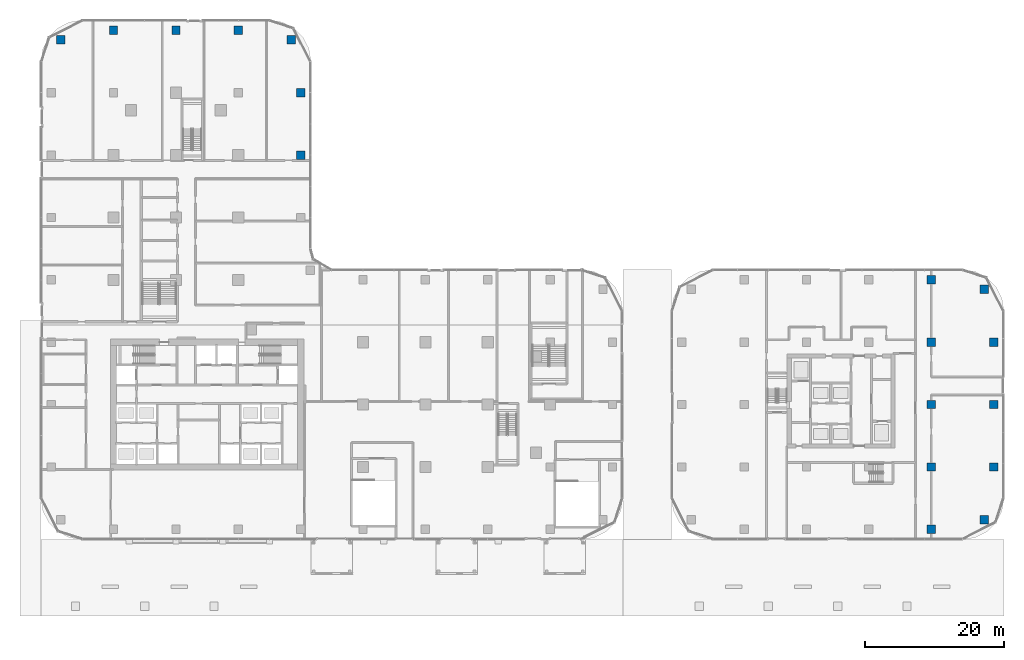
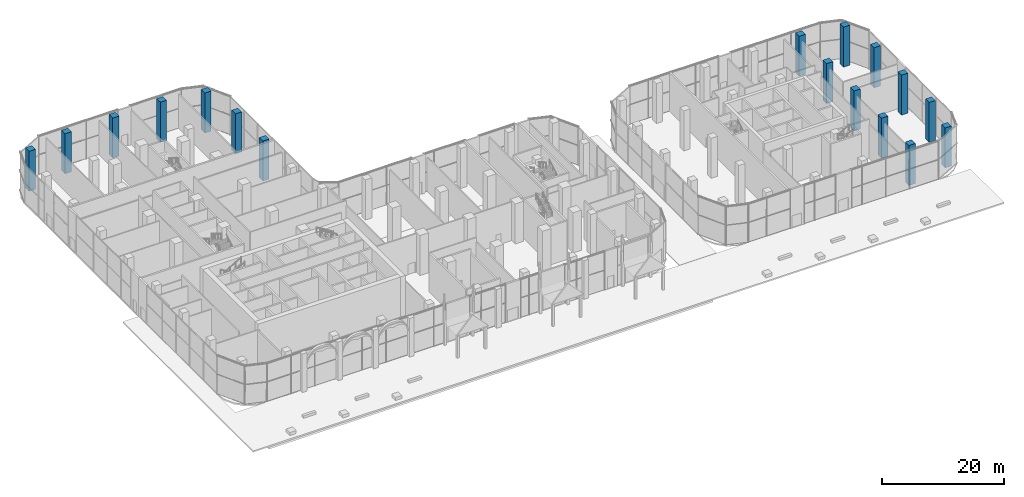
# One storey, part 2 of 54: 17 columns.
"""IFC4 building model written with IfcOpenShell, lengths in metres."""

import ifcopenshell
import ifcopenshell.guid

model = None  # the IFC model being written
_history = None  # IfcOwnerHistory: only IFC2X3 demands one
_inside = {}  # id of a spatial element -> (the spatial element, [elements in it])
_under = {}  # id of a project, library or spatial element -> (it, [spatial elements below it])
_declared = {}  # id of a project -> (the project, [libraries it declares])
_typed = {}  # id of a type object -> (the type object, [elements of that type])
_made_of = {}  # id of a material, layer set ... -> (it, [elements and type objects made of it])


def new_model(schema):
    """Start an empty IFC model of exactly this schema.

    Asked for "IFC4X3", IfcOpenShell would pick the latest addendum, in which some entities
    have other attributes; the version numbers below select the first issue.
    IFC2X3 requires an IfcOwnerHistory on every rooted entity: one is made here for all.
    """
    global model, _history
    if schema == "IFC4X3":
        model = ifcopenshell.file(schema_version=(4, 3, 0, 0))
    else:
        model = ifcopenshell.file(schema=schema)
    _inside.clear()
    _under.clear()
    _declared.clear()
    _typed.clear()
    _made_of.clear()
    _history = None
    if model.schema == "IFC2X3":
        org = make("IfcOrganization", Name="unknown")
        user = make(
            "IfcPersonAndOrganization",
            ThePerson=make("IfcPerson", FamilyName="unknown"),
            TheOrganization=org,
        )
        app = make(
            "IfcApplication",
            ApplicationDeveloper=org,
            Version="unknown",
            ApplicationFullName="unknown",
            ApplicationIdentifier="unknown",
        )
        _history = make(
            "IfcOwnerHistory",
            OwningUser=user,
            OwningApplication=app,
            ChangeAction="ADDED",
            CreationDate=0,
        )
    return model


def make(cls, **values):
    """One entity of the class cls with the attributes given. An attribute that is None is left unset."""
    return model.create_entity(
        cls, **{name: value for name, value in values.items() if value is not None}
    )


def rooted(cls, **values):
    """An entity with a GlobalId (a new one), such as an element, a storey or a relation."""
    return make(cls, GlobalId=ifcopenshell.guid.new(), OwnerHistory=_history, **values)


def si_unit(unit_type, name, prefix=None):
    """IfcSIUnit, for example si_unit("LENGTHUNIT", "METRE", prefix="MILLI")."""
    return make("IfcSIUnit", UnitType=unit_type, Prefix=prefix, Name=name)


def assignment(units):
    """IfcUnitAssignment: the units of a project."""
    return None if units is None else make("IfcUnitAssignment", Units=units)


def point(xyz):
    """IfcCartesianPoint."""
    return None if xyz is None else make("IfcCartesianPoint", Coordinates=xyz)


def direction(xyz):
    """IfcDirection."""
    return None if xyz is None else make("IfcDirection", DirectionRatios=xyz)


def frame(location, z_axis=None, x_axis=None):
    """IfcAxis2Placement3D, a coordinate frame: its origin and axes. An axis left out is left unset."""
    return make(
        "IfcAxis2Placement3D",
        Location=point(location),
        Axis=direction(z_axis),
        RefDirection=direction(x_axis),
    )


def frame_2d(location, x_axis=None):
    """IfcAxis2Placement2D, a coordinate frame in the plane: its origin and x axis."""
    return make(
        "IfcAxis2Placement2D", Location=point(location), RefDirection=direction(x_axis)
    )


def origin():
    """The frame at (0, 0, 0) with its axes left unset."""
    return frame((0.0, 0.0, 0.0))


def origin_2d():
    """The frame at (0, 0) in the plane with its x axis left unset."""
    return frame_2d((0.0, 0.0))


def place(relative_to, where):
    """IfcLocalPlacement: puts the frame where relative to a parent placement (None: the world)."""
    return make(
        "IfcLocalPlacement", PlacementRelTo=relative_to, RelativePlacement=where
    )


def context(
    kind, dimensions, precision=None, world=None, true_north=None, identifier=None
):
    """IfcGeometricRepresentationContext, for example the 3D "Model" context."""
    return make(
        "IfcGeometricRepresentationContext",
        ContextIdentifier=identifier,
        ContextType=kind,
        CoordinateSpaceDimension=dimensions,
        Precision=precision,
        WorldCoordinateSystem=world,
        TrueNorth=true_north,
    )


def subcontext(parent, identifier, kind, view, scale=None):
    """IfcGeometricRepresentationSubContext, for example "Body" below "Model"."""
    return make(
        "IfcGeometricRepresentationSubContext",
        ContextIdentifier=identifier,
        ContextType=kind,
        ParentContext=parent,
        TargetScale=scale,
        TargetView=view,
    )


def project(units=None, contexts=None):
    """IfcProject with its units and contexts."""
    return rooted(
        "IfcProject",
        Name="project",
        RepresentationContexts=contexts,
        UnitsInContext=assignment(units),
    )


def spatial(cls, under=None, at=None, **own):
    """A site, building, storey or space (cls), placed at a placement, below another one or the project."""
    s = rooted(cls, ObjectPlacement=at, **own)
    if under is not None:
        _under.setdefault(under.id(), (under, []))[1].append(s)
    return s


def profile(cls, at=None, kind="AREA", **sizes):
    """A parametric profile (cls). Its sizes go by their IFC names, for example OverallWidth=200.0."""
    return make(cls, ProfileType=kind, Position=at, **sizes)


def rectangle(**sizes):
    """IfcRectangleProfileDef."""
    return profile("IfcRectangleProfileDef", **sizes)


def extrude(swept, where, along, depth):
    """IfcExtrudedAreaSolid: the profile swept, set in the frame where, extruded along a direction by depth."""
    return make(
        "IfcExtrudedAreaSolid",
        SweptArea=swept,
        Position=where,
        ExtrudedDirection=direction(along),
        Depth=depth,
    )


def shape(context_of_items, identifier, shape_type, items):
    """IfcShapeRepresentation: the items that make up one representation, for example the "Body"."""
    return make(
        "IfcShapeRepresentation",
        ContextOfItems=context_of_items,
        RepresentationIdentifier=identifier,
        RepresentationType=shape_type,
        Items=items,
    )


def material(Name=None, Category=None):
    """IfcMaterial."""
    return make("IfcMaterial", Name=Name, Category=Category)


def material_profile(
    of_material, cross_section, Name=None, Category=None, Priority=None
):
    """IfcMaterialProfile: a cross section and its material."""
    return make(
        "IfcMaterialProfile",
        Name=Name,
        Material=of_material,
        Profile=cross_section,
        Priority=Priority,
        Category=Category,
    )


def profile_set(profiles, Name=None, composite=None):
    """IfcMaterialProfileSet."""
    return make(
        "IfcMaterialProfileSet",
        Name=Name,
        MaterialProfiles=profiles,
        CompositeProfile=composite,
    )


def made_of(thing, what):
    """Note that an element or type object is made of a material, layer set ...; save() writes the relation."""
    if what is not None:
        _made_of.setdefault(what.id(), (what, []))[1].append(thing)
    return thing


def type_object(cls, material=None, **own):
    """A type object (cls), such as IfcWallType, which elements share."""
    return made_of(rooted(cls, **own), material)


def element(
    cls,
    number,
    at=None,
    inside=None,
    cuts=None,
    type_object=None,
    material=None,
    context=None,
    identifier="Body",
    shape_type=None,
    held_by="IfcProductDefinitionShape",
    body=None,
    shapes=None,
    **own,
):
    """One element of the class cls, such as IfcWall. Its Tag is "e" and its number.

    at: its placement. inside: the storey or other place that contains it. cuts: it is an
    opening in that element (IfcRelVoidsElement). A single representation is given by context,
    identifier, shape_type and body (its items); several are given by shapes. held_by: the class
    of the entity that holds the representations. save() writes the other relations.
    """
    e = rooted(cls, Tag="e%d" % number, ObjectPlacement=at, **own)
    if body is not None:
        shapes = [shape(context, identifier, shape_type, body)]
    if shapes is not None:
        e.Representation = make(held_by, Representations=shapes)
    if inside is not None:
        _inside.setdefault(inside.id(), (inside, []))[1].append(e)
    if cuts is not None:
        rooted(
            "IfcRelVoidsElement", RelatingBuildingElement=cuts, RelatedOpeningElement=e
        )
    if type_object is not None:
        _typed.setdefault(type_object.id(), (type_object, []))[1].append(e)
    return made_of(e, material)


def aggregate(whole, parts):
    """IfcRelAggregates: a whole, such as a stair, and the parts it consists of."""
    return rooted("IfcRelAggregates", RelatingObject=whole, RelatedObjects=parts)


def save(model, path):
    """Write the relations noted so far, then the file.

    IfcRelAggregates (storeys below a building ...), IfcRelContainedInSpatialStructure (elements
    in a storey), IfcRelDefinesByType, IfcRelAssociatesMaterial and IfcRelDeclares: one each for
    every whole, place, type object, material and project.
    """
    for whole, parts in _under.values():
        aggregate(whole, parts)
    for where, things in _inside.values():
        rooted(
            "IfcRelContainedInSpatialStructure",
            RelatedElements=things,
            RelatingStructure=where,
        )
    for kind, things in _typed.values():
        rooted("IfcRelDefinesByType", RelatedObjects=things, RelatingType=kind)
    for what, things in _made_of.values():
        rooted("IfcRelAssociatesMaterial", RelatedObjects=things, RelatingMaterial=what)
    for by, libraries in _declared.values():
        rooted("IfcRelDeclares", RelatingContext=by, RelatedDefinitions=libraries)
    model.write(path)


model = new_model("IFC4")

# Units and contexts
model_context = context("Model", 3, precision=1e-05, world=origin(), true_north=direction((0.0, 1.0)))
body_context = subcontext(model_context, "Body", "Model", "MODEL_VIEW")
ifc_project = project(units=[si_unit("LENGTHUNIT", "METRE"), si_unit("AREAUNIT", "SQUARE_METRE"), si_unit("VOLUMEUNIT", "CUBIC_METRE"), si_unit("PLANEANGLEUNIT", "RADIAN"), si_unit("MASSUNIT", "GRAM", prefix="KILO")], contexts=[model_context])

# Site, building, storey
site_placement = place(None, origin())
site = spatial("IfcSite", under=ifc_project, at=site_placement, CompositionType="ELEMENT")
building_placement = place(site_placement, origin())
building = spatial("IfcBuilding", under=site, at=building_placement, Name="Ogive Portal Towers", CompositionType="ELEMENT")
storey_placement = place(building_placement, origin())
storey = spatial("IfcBuildingStorey", under=building, at=storey_placement, Name="L00", CompositionType="ELEMENT", Elevation=0.0)

# Columns
ifc_material = material(Name="Concrete C50/60", Category="concrete")
ifc_material_profile = material_profile(ifc_material, rectangle(XDim=1.199951171875, YDim=1.199951171875, at=origin_2d()), Name="RC 1200x1200")
ifc_profile_set = profile_set([ifc_material_profile], Name="Concrete C50/60")
column_type = type_object("IfcColumnType", Name="COLUMN RC 1200x1200", PredefinedType="COLUMN", material=ifc_profile_set)
for number, where, z_axis, x_axis, name in (
    (1, (58.5, 66.5, 0.0), (0.0, 0.0, 1.0), (1.0, 0.0, 0.0), "Column 4/F L00"),
    (2, (58.5, 75.5, 0.0), (0.0, 0.0, 1.0), (1.0, 0.0, 0.0), "Column 4/G L00"),
    (3, (23.8701171875, 83.1298828125, 0.0), (0.0, 0.0, 1.0), (1.0, 0.0, 0.0), "Column L00"),
    (4, (57.1298828125, 83.1298828125, 0.0), (0.0, 0.0, 1.0), (1.0, 0.0, 0.0), "Column L00"),
    (5, (31.5, 84.5, 0.0), (0.0, 0.0, 1.0), (1.0, 0.0, 0.0), "Column 1/H1 L00"),
    (6, (40.5, 84.5, 0.0), (0.0, 0.0, 1.0), (1.0, 0.0, 0.0), "Column 2/H1 L00"),
    (7, (49.5, 84.5, 0.0), (0.0, 0.0, 1.0), (1.0, 0.0, 0.0), "Column 3/H1 L00"),
    (8, (149.5, 12.5, 0.0), (0.0, 0.0, 1.0), (1.0, 0.0, 0.0), "Column P5/Q1 L00"),
    (9, (157.1298828125, 13.8701171875, 0.0), (0.0, 0.0, 1.0), (1.0, 0.0, 0.0), "Column L00"),
    (10, (149.5, 21.5, 0.0), (0.0, 0.0, 1.0), (1.0, 0.0, 0.0), "Column P5/Q2 L00"),
    (11, (158.5, 21.5, 0.0), (0.0, 0.0, 1.0), (1.0, 0.0, 0.0), "Column P6/Q2 L00"),
    (12, (149.5, 30.5, 0.0), (0.0, 0.0, 1.0), (1.0, 0.0, 0.0), "Column P5/Q3 L00"),
    (13, (158.5, 30.5, 0.0), (0.0, 0.0, 1.0), (1.0, 0.0, 0.0), "Column P6/Q3 L00"),
    (14, (149.5, 39.5, 0.0), (0.0, 0.0, 1.0), (1.0, 0.0, 0.0), "Column P5/Q4 L00"),
    (15, (158.5, 39.5, 0.0), (0.0, 0.0, 1.0), (1.0, 0.0, 0.0), "Column P6/Q4 L00"),
    (16, (157.1298828125, 47.1298828125, 0.0), (0.0, 0.0, 1.0), (1.0, 0.0, 0.0), "Column L00"),
    (17, (149.5, 48.5, 0.0), (0.0, 0.0, 1.0), (1.0, 0.0, 0.0), "Column P5/Q5 L00"),
):
    element("IfcColumn", number, at=place(storey_placement, frame(where, z_axis=z_axis, x_axis=x_axis)), inside=storey, type_object=column_type, Name=name, PredefinedType="COLUMN", context=body_context, shape_type="SweptSolid", body=[
        extrude(rectangle(XDim=1.199951171875, YDim=1.199951171875, at=origin_2d()), origin(), (0.0, 0.0, 1.0), 8.0),
    ])

save(model, "model.ifc")
